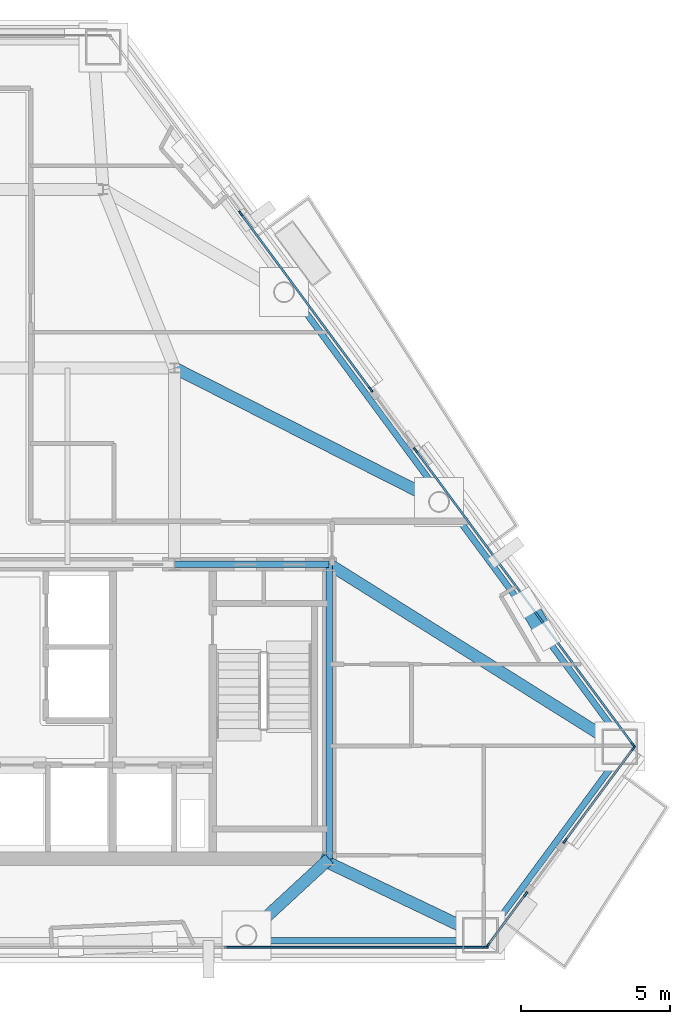
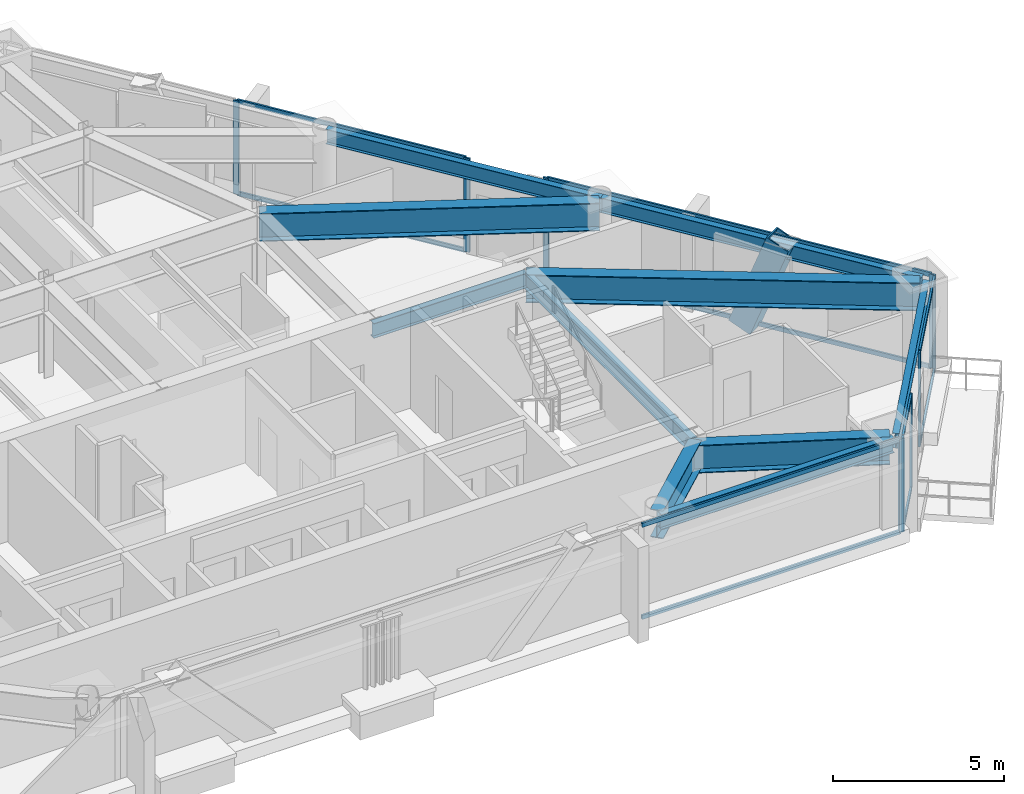
# One storey, part 5 of 11: 20 members, 10 beams, 5 elements without a shape of their own.
"""IFC4 building model written with IfcOpenShell, lengths in metres."""

from ifc_helpers import new_model, si_unit, direction, frame, origin, origin_2d, place, context, subcontext, project, spatial, rectangle, hollow_rectangle, i_section, extrude, material, layer, layer_set, material_profile, profile_set, type_object, element, aggregate, save


model = new_model("IFC4")

# Units and contexts
model_context = context("Model", 3, precision=1e-05, world=origin(), true_north=direction((0.0, 1.0)))
body_context = subcontext(model_context, "Body", "Model", "MODEL_VIEW")
ifc_project = project(units=[si_unit("LENGTHUNIT", "METRE"), si_unit("AREAUNIT", "SQUARE_METRE"), si_unit("VOLUMEUNIT", "CUBIC_METRE"), si_unit("PLANEANGLEUNIT", "RADIAN"), si_unit("MASSUNIT", "GRAM", prefix="KILO")], contexts=[model_context])

# Site, building, storey
site_placement = place(None, origin())
site = spatial("IfcSite", under=ifc_project, at=site_placement, CompositionType="ELEMENT")
building_placement = place(site_placement, origin())
building = spatial("IfcBuilding", under=site, at=building_placement, Name="Talgorran Terracotta Tower", CompositionType="ELEMENT")
storey_placement = place(building_placement, frame((0.0, 0.0, 154.5)))
storey = spatial("IfcBuildingStorey", under=building, at=storey_placement, Name="L40", CompositionType="ELEMENT", Elevation=154.5)

# Beams
ifc_material_1 = material(Name="Steel Grade 350 (350L0)", Category="steel")
ifc_material_profile_1 = material_profile(ifc_material_1, i_section(OverallWidth=0.39990234375, OverallDepth=1.0, WebThickness=0.01611328125, FlangeThickness=0.031005859375, at=origin_2d()), Name="1000WB296")
ifc_profile_set_1 = profile_set([ifc_material_profile_1], Name="Steel Grade 350 (350L0)")
beam_type_1 = type_object("IfcBeamType", Name="BM_1000WB296", PredefinedType="BEAM", material=ifc_profile_set_1)
beam_1_placement = place(storey_placement, frame((12.39990234375, -14.10009765625, 2.85009765625), z_axis=(-0.734220592544, -0.678910982003, 0.0), x_axis=(0.678910982003, -0.734220592544, 0.0)))
element("IfcBeam", 1, at=beam_1_placement, inside=storey, type_object=beam_type_1, Name="L40 South-East Core Tie Beam", PredefinedType="BEAM", context=body_context, shape_type="SweptSolid", body=[
    extrude(i_section(OverallWidth=0.39990234375, OverallDepth=1.0, WebThickness=0.01611328125, FlangeThickness=0.031005859375, at=origin_2d()), origin(), (0.0, 0.0, 1.0), 3.791748046875),
])
beam_2_placement = place(storey_placement, frame((17.483642578125, -16.67431640625, 2.85009765625), z_axis=(-0.902168144999, 0.43138455947, 0.0), x_axis=(-0.43138455947, -0.902168144999, 0.0)))
element("IfcBeam", 2, at=beam_2_placement, inside=storey, type_object=beam_type_1, Name="L40 Perimeter Step Girder 5", PredefinedType="BEAM", context=body_context, shape_type="SweptSolid", body=[
    extrude(i_section(OverallWidth=0.39990234375, OverallDepth=1.0, WebThickness=0.01611328125, FlangeThickness=0.031005859375, at=origin_2d()), origin(), (0.0, 0.0, 1.0), 5.96728515625),
])
beam_3_placement = place(storey_placement, frame((7.199951171875, 2.39990234375, 2.85009765625), z_axis=(0.892122666424, -0.451793258087, 0.0), x_axis=(0.451793258087, 0.892122666424, 0.0)))
element("IfcBeam", 3, at=beam_3_placement, inside=storey, type_object=beam_type_1, Name="L40 Floor Girder G07", PredefinedType="BEAM", context=body_context, shape_type="SweptSolid", body=[
    extrude(i_section(OverallWidth=0.39990234375, OverallDepth=1.0, WebThickness=0.01611328125, FlangeThickness=0.031005859375, at=origin_2d()), origin(), (0.0, 0.0, 1.0), 9.966796875),
])
beam_4_placement = place(storey_placement, frame((12.39990234375, -4.199951171875, 2.85009765625), z_axis=(0.846977550412, -0.531628657145, 0.0), x_axis=(0.531628657145, 0.846977550412, 0.0)))
element("IfcBeam", 4, at=beam_4_placement, inside=storey, type_object=beam_type_1, Name="L40 Floor Girder G18", PredefinedType="BEAM", context=body_context, shape_type="SweptSolid", body=[
    extrude(i_section(OverallWidth=0.39990234375, OverallDepth=1.0, WebThickness=0.01611328125, FlangeThickness=0.031005859375, at=origin_2d()), origin(), (0.0, 0.0, 1.0), 11.533203125),
])
ifc_material_2 = material(Name="Steel S355 (300PLUS)", Category="steel")
ifc_material_profile_2 = material_profile(ifc_material_2, i_section(OverallWidth=0.209228515625, OverallDepth=0.532958984375, WebThickness=0.01025390625, FlangeThickness=0.015625, at=origin_2d()), Name="530UB92.4")
ifc_profile_set_2 = profile_set([ifc_material_profile_2], Name="Steel S355 (300PLUS)")
beam_type_2 = type_object("IfcBeamType", Name="BM_SP_530UB92", PredefinedType="SPANDREL", material=ifc_profile_set_2)
beam_5_placement = place(storey_placement, frame((9.615966796875, -16.8544921875, 3.08349609375), z_axis=(1.0, 0.0, 0.0), x_axis=(0.0, 1.0, 0.0)))
element("IfcBeam", 5, at=beam_5_placement, inside=storey, type_object=beam_type_2, Name="L40 Perimeter Spandrel Beam FC2-MC3", PredefinedType="SPANDREL", context=body_context, shape_type="SweptSolid", body=[
    extrude(i_section(OverallWidth=0.209228515625, OverallDepth=0.532958984375, WebThickness=0.01025390625, FlangeThickness=0.015625, at=origin_2d()), origin(), (0.0, 0.0, 1.0), 7.86767578125),
])
beam_6_placement = place(storey_placement, frame((17.62841796875, -16.78125, 3.08349609375), z_axis=(0.594068918856, 0.804414146848, 0.0), x_axis=(-0.804414146848, 0.594068918856, 0.0)))
element("IfcBeam", 6, at=beam_6_placement, inside=storey, type_object=beam_type_2, Name="L40 Perimeter Spandrel Beam MC3-MC4", PredefinedType="SPANDREL", context=body_context, shape_type="SweptSolid", body=[
    extrude(i_section(OverallWidth=0.209228515625, OverallDepth=0.532958984375, WebThickness=0.01025390625, FlangeThickness=0.015625, at=origin_2d()), origin(), (0.0, 0.0, 1.0), 7.885498046875),
])
beam_7_placement = place(storey_placement, frame((22.31298828125, -10.224365234375, 3.08349609375), z_axis=(-0.594068215055, 0.804414666613, 0.0), x_axis=(-0.804414666613, -0.594068215055, 0.0)))
element("IfcBeam", 7, at=beam_7_placement, inside=storey, type_object=beam_type_2, Name="L40 Perimeter Spandrel Beam MC4-FC3", PredefinedType="SPANDREL", context=body_context, shape_type="SweptSolid", body=[
    extrude(i_section(OverallWidth=0.209228515625, OverallDepth=0.532958984375, WebThickness=0.01025390625, FlangeThickness=0.015625, at=origin_2d()), origin(), (0.0, 0.0, 1.0), 10.22900390625),
])
beam_8_placement = place(storey_placement, frame((16.236328125, -1.99609375, 3.08349609375), z_axis=(-0.594084887131, 0.804402353852, 0.0), x_axis=(-0.804402353852, -0.594084887131, 0.0)))
element("IfcBeam", 8, at=beam_8_placement, inside=storey, type_object=beam_type_2, Name="L40 Perimeter Spandrel Beam FC3-FC4", PredefinedType="SPANDREL", context=body_context, shape_type="SweptSolid", body=[
    extrude(i_section(OverallWidth=0.209228515625, OverallDepth=0.532958984375, WebThickness=0.01025390625, FlangeThickness=0.015625, at=origin_2d()), origin(), (0.0, 0.0, 1.0), 8.767578125),
])
beam_9_placement = place(storey_placement, frame((12.39990234375, -14.10009765625, 3.08349609375), z_axis=(0.0, 1.0, 0.0), x_axis=(-1.0, 0.0, 0.0)))
element("IfcBeam", 9, at=beam_9_placement, inside=storey, type_object=beam_type_2, Name="L40 Core Frame Beam CFE", PredefinedType="SPANDREL", context=body_context, shape_type="SweptSolid", body=[
    extrude(i_section(OverallWidth=0.209228515625, OverallDepth=0.532958984375, WebThickness=0.01025390625, FlangeThickness=0.015625, at=origin_2d()), origin(), (0.0, 0.0, 1.0), 9.900146484375),
])
beam_10_placement = place(storey_placement, frame((7.199951171875, -4.199951171875, 3.08349609375), z_axis=(1.0, 0.0, 0.0), x_axis=(0.0, 1.0, 0.0)))
element("IfcBeam", 10, at=beam_10_placement, inside=storey, type_object=beam_type_2, Name="L40 Core Frame Beam CFN4", PredefinedType="SPANDREL", context=body_context, shape_type="SweptSolid", body=[
    extrude(i_section(OverallWidth=0.209228515625, OverallDepth=0.532958984375, WebThickness=0.01025390625, FlangeThickness=0.015625, at=origin_2d()), origin(), (0.0, 0.0, 1.0), 5.199951171875),
])

# Member
ifc_material_profile_3 = material_profile(ifc_material_1, hollow_rectangle(XDim=0.6201171875, YDim=0.780029296875, WallThickness=0.0419921875, at=origin_2d()), Name="WBOX780X620X42")
ifc_profile_set_3 = profile_set([ifc_material_profile_3], Name="Steel Grade 350 (350L0)")
member_type_1 = type_object("IfcMemberType", Name="MB_MEGA_780", PredefinedType="BRACE", material=ifc_profile_set_3)
member_1_placement = place(storey_placement, frame((19.037353515625, -5.48583984375, -0.02490234375), z_axis=(0.178524547702, -0.305399216855, 0.935339673174), x_axis=(0.863317156453, 0.504661755411, 0.0)))
element("IfcMember", 11, at=member_1_placement, inside=storey, type_object=member_type_1, Name="L40 Exterior Face Mega-Brace MB-2 (NEL)", PredefinedType="BRACE", context=body_context, shape_type="SweptSolid", body=[
    extrude(hollow_rectangle(XDim=0.6201171875, YDim=0.780029296875, WallThickness=0.0419921875, at=origin_2d()), origin(), (0.0, 0.0, 1.0), 3.635009765625),
])

# Curtain wall, member
ifc_material_3 = material(Name="Unitised Low-E Double Glazing", Category="glass")
ifc_layer = layer(ifc_material_3, 0.199951171875, Name="CW_SYS2_RES_LOW")
ifc_layer_set = layer_set([ifc_layer], Name="Unitised Low-E Double Glazing")
curtain_wall_type = type_object("IfcCurtainWallType", Name="CW_SYS2_RES_LOW", PredefinedType="NOTDEFINED", material=ifc_layer_set)
curtain_wall_1_placement = place(storey_placement, origin())
curtain_wall_1 = element("IfcCurtainWall", 12, at=curtain_wall_1_placement, inside=storey, type_object=curtain_wall_type, Name="CW-L40-F1", PredefinedType="NOTDEFINED")
ifc_material_4 = material(Name="Architectural Aluminium 6063-T6", Category="aluminium")
ifc_material_profile_4 = material_profile(ifc_material_4, rectangle(XDim=0.06494140625, YDim=0.18505859375, at=origin_2d()), Name="CWM65X185")
ifc_profile_set_4 = profile_set([ifc_material_profile_4], Name="Architectural Aluminium 6063-T6")
member_type_2 = type_object("IfcMemberType", Name="MUL_65X185", PredefinedType="MULLION", material=ifc_profile_set_4)
member_2_placement = place(storey_placement, frame((17.65283203125, -17.074462890625, 0.0), z_axis=(0.0, 0.0, 1.0), x_axis=(0.0, 1.0, 0.0)))
member_2 = element("IfcMember", 13, at=member_2_placement, type_object=member_type_2, Name="CW-L40-1 mullion 5", PredefinedType="MULLION", context=body_context, shape_type="SweptSolid", body=[
    extrude(rectangle(XDim=0.06494140625, YDim=0.18505859375, at=origin_2d()), origin(), (0.0, 0.0, 1.0), 3.35009765625),
])

# Curtain wall, members
curtain_wall_2_placement = place(storey_placement, origin())
curtain_wall_2 = element("IfcCurtainWall", 14, at=curtain_wall_2_placement, inside=storey, type_object=curtain_wall_type, Name="CW-L40-F30", PredefinedType="NOTDEFINED")
member_3_placement = place(storey_placement, frame((17.728515625, -17.01611328125, 0.0), z_axis=(0.0, 0.0, 1.0), x_axis=(-0.804413973755, 0.594069153237, 0.0)))
member_3 = element("IfcMember", 15, at=member_3_placement, type_object=member_type_2, Name="CW-L40-30 mullion 1", PredefinedType="MULLION", context=body_context, shape_type="SweptSolid", body=[
    extrude(rectangle(XDim=0.06494140625, YDim=0.18505859375, at=origin_2d()), origin(), (0.0, 0.0, 1.0), 3.35009765625),
])
member_4_placement = place(storey_placement, frame((19.0029296875, -15.29052734375, 0.0), z_axis=(0.0, 0.0, 1.0), x_axis=(-0.804413973755, 0.594069153237, 0.0)))
member_4 = element("IfcMember", 16, at=member_4_placement, type_object=member_type_2, Name="CW-L40-30 mullion 2", PredefinedType="MULLION", context=body_context, shape_type="SweptSolid", body=[
    extrude(rectangle(XDim=0.06494140625, YDim=0.18505859375, at=origin_2d()), origin(), (0.0, 0.0, 1.0), 3.35009765625),
])

curtain_wall_3_placement = place(storey_placement, origin())
curtain_wall_3 = element("IfcCurtainWall", 17, at=curtain_wall_3_placement, inside=storey, type_object=curtain_wall_type, Name="CW-L40-F31", PredefinedType="NOTDEFINED")
member_5_placement = place(storey_placement, frame((20.32470703125, -13.500732421875, 0.0), z_axis=(0.0, 0.0, 1.0), x_axis=(-0.804402793859, 0.594084291352, 0.0)))
member_5 = element("IfcMember", 18, at=member_5_placement, type_object=member_type_2, Name="CW-L40-31 mullion 1", PredefinedType="MULLION", context=body_context, shape_type="SweptSolid", body=[
    extrude(rectangle(XDim=0.06494140625, YDim=0.18505859375, at=origin_2d()), origin(), (0.0, 0.0, 1.0), 3.35009765625),
])
member_6_placement = place(storey_placement, frame((22.622314453125, -10.3896484375, 0.0), z_axis=(0.0, 0.0, 1.0), x_axis=(-0.804402793859, 0.594084291352, 0.0)))
member_6 = element("IfcMember", 19, at=member_6_placement, type_object=member_type_2, Name="CW-L40-31 mullion 2", PredefinedType="MULLION", context=body_context, shape_type="SweptSolid", body=[
    extrude(rectangle(XDim=0.06494140625, YDim=0.18505859375, at=origin_2d()), origin(), (0.0, 0.0, 1.0), 3.35009765625),
])

curtain_wall_4_placement = place(storey_placement, origin())
curtain_wall_4 = element("IfcCurtainWall", 20, at=curtain_wall_4_placement, inside=storey, type_object=curtain_wall_type, Name="CW-L40-F40", PredefinedType="NOTDEFINED")
member_7_placement = place(storey_placement, frame((22.622314453125, -10.27294921875, 0.0), z_axis=(0.0, 0.0, 1.0), x_axis=(-0.804408049113, -0.59407717556, 0.0)))
member_7 = element("IfcMember", 21, at=member_7_placement, type_object=member_type_2, Name="CW-L40-40 mullion 1", PredefinedType="MULLION", context=body_context, shape_type="SweptSolid", body=[
    extrude(rectangle(XDim=0.06494140625, YDim=0.18505859375, at=origin_2d()), origin(), (0.0, 0.0, 1.0), 3.35009765625),
])
member_8_placement = place(storey_placement, frame((15.300048828125, -0.358154296875, 0.0), z_axis=(0.0, 0.0, 1.0), x_axis=(-0.804408049113, -0.59407717556, 0.0)))
member_8 = element("IfcMember", 22, at=member_8_placement, type_object=member_type_2, Name="CW-L40-40 mullion 2", PredefinedType="MULLION", context=body_context, shape_type="SweptSolid", body=[
    extrude(rectangle(XDim=0.06494140625, YDim=0.18505859375, at=origin_2d()), origin(), (0.0, 0.0, 1.0), 3.35009765625),
])

curtain_wall_5_placement = place(storey_placement, origin())
curtain_wall_5 = element("IfcCurtainWall", 23, at=curtain_wall_5_placement, inside=storey, type_object=curtain_wall_type, Name="CW-L40-F41", PredefinedType="NOTDEFINED")
member_9_placement = place(storey_placement, frame((13.800048828125, 1.6728515625, 0.0), z_axis=(0.0, 0.0, 1.0), x_axis=(-0.804410006266, -0.594074525476, 0.0)))
member_9 = element("IfcMember", 24, at=member_9_placement, type_object=member_type_2, Name="CW-L40-41 mullion 1", PredefinedType="MULLION", context=body_context, shape_type="SweptSolid", body=[
    extrude(rectangle(XDim=0.06494140625, YDim=0.18505859375, at=origin_2d()), origin(), (0.0, 0.0, 1.0), 3.35009765625),
])
member_10_placement = place(storey_placement, frame((9.425537109375, 7.59619140625, 0.0), z_axis=(0.0, 0.0, 1.0), x_axis=(-0.804410006266, -0.594074525476, 0.0)))
member_10 = element("IfcMember", 25, at=member_10_placement, type_object=member_type_2, Name="CW-L40-41 mullion 2", PredefinedType="MULLION", context=body_context, shape_type="SweptSolid", body=[
    extrude(rectangle(XDim=0.06494140625, YDim=0.18505859375, at=origin_2d()), origin(), (0.0, 0.0, 1.0), 3.35009765625),
])

# Member
ifc_material_profile_5 = material_profile(ifc_material_4, rectangle(XDim=0.06494140625, YDim=0.14990234375, at=origin_2d()), Name="CWT65X150")
ifc_profile_set_5 = profile_set([ifc_material_profile_5], Name="Architectural Aluminium 6063-T6")
member_type_3 = type_object("IfcMemberType", Name="TRN_65X150", PredefinedType="USERDEFINED", material=ifc_profile_set_5)
member_11_placement = place(storey_placement, frame((8.875244140625, -17.074462890625, 0.032470703125), z_axis=(1.0, 0.0, 0.0), x_axis=(0.0, 1.0, 0.0)))
member_11 = element("IfcMember", 26, at=member_11_placement, type_object=member_type_3, Name="CW-L40-1 transom 4.1", ObjectType="TRANSOM", PredefinedType="USERDEFINED", context=body_context, shape_type="SweptSolid", body=[
    extrude(rectangle(XDim=0.06494140625, YDim=0.14990234375, at=origin_2d()), origin(), (0.0, 0.0, 1.0), 8.7451171875),
])

member_12_placement = place(storey_placement, frame((8.875244140625, -17.074462890625, 3.3173828125), z_axis=(1.0, 0.0, 0.0), x_axis=(0.0, 1.0, 0.0)))
member_12 = element("IfcMember", 27, at=member_12_placement, type_object=member_type_3, Name="CW-L40-1 transom 4.2", ObjectType="TRANSOM", PredefinedType="USERDEFINED", context=body_context, shape_type="SweptSolid", body=[
    extrude(rectangle(XDim=0.06494140625, YDim=0.14990234375, at=origin_2d()), origin(), (0.0, 0.0, 1.0), 8.7451171875),
])

aggregate(curtain_wall_1, [member_2, member_11, member_12])

member_13_placement = place(storey_placement, frame((17.747802734375, -16.989990234375, 0.032470703125), z_axis=(0.594087426548, 0.80440047838, 0.0), x_axis=(-0.80440047838, 0.594087426548, 0.0)))
member_13 = element("IfcMember", 28, at=member_13_placement, type_object=member_type_3, Name="CW-L40-30 transom 1.1", ObjectType="TRANSOM", PredefinedType="USERDEFINED", context=body_context, shape_type="SweptSolid", body=[
    extrude(rectangle(XDim=0.06494140625, YDim=0.14990234375, at=origin_2d()), origin(), (0.0, 0.0, 1.0), 2.080322265625),
])

member_14_placement = place(storey_placement, frame((17.747802734375, -16.989990234375, 3.3173828125), z_axis=(0.594087426548, 0.80440047838, 0.0), x_axis=(-0.80440047838, 0.594087426548, 0.0)))
member_14 = element("IfcMember", 29, at=member_14_placement, type_object=member_type_3, Name="CW-L40-30 transom 1.2", ObjectType="TRANSOM", PredefinedType="USERDEFINED", context=body_context, shape_type="SweptSolid", body=[
    extrude(rectangle(XDim=0.06494140625, YDim=0.14990234375, at=origin_2d()), origin(), (0.0, 0.0, 1.0), 2.080322265625),
])

aggregate(curtain_wall_2, [member_3, member_4, member_13, member_14])

member_15_placement = place(storey_placement, frame((20.343994140625, -13.474609375, 0.032470703125), z_axis=(0.594076904205, 0.804408249517, 0.0), x_axis=(-0.804408249517, 0.594076904205, 0.0)))
member_15 = element("IfcMember", 30, at=member_15_placement, type_object=member_type_3, Name="CW-L40-31 transom 1.1", ObjectType="TRANSOM", PredefinedType="USERDEFINED", context=body_context, shape_type="SweptSolid", body=[
    extrude(rectangle(XDim=0.06494140625, YDim=0.14990234375, at=origin_2d()), origin(), (0.0, 0.0, 1.0), 3.802490234375),
])

member_16_placement = place(storey_placement, frame((20.343994140625, -13.474609375, 3.3173828125), z_axis=(0.594076904205, 0.804408249517, 0.0), x_axis=(-0.804408249517, 0.594076904205, 0.0)))
member_16 = element("IfcMember", 31, at=member_16_placement, type_object=member_type_3, Name="CW-L40-31 transom 1.2", ObjectType="TRANSOM", PredefinedType="USERDEFINED", context=body_context, shape_type="SweptSolid", body=[
    extrude(rectangle(XDim=0.06494140625, YDim=0.14990234375, at=origin_2d()), origin(), (0.0, 0.0, 1.0), 3.802490234375),
])

aggregate(curtain_wall_3, [member_5, member_6, member_15, member_16])

member_17_placement = place(storey_placement, frame((22.60302734375, -10.246826171875, 0.032470703125), z_axis=(-0.594073556732, 0.804410721704, 0.0), x_axis=(-0.804410721704, -0.594073556732, 0.0)))
member_17 = element("IfcMember", 32, at=member_17_placement, type_object=member_type_3, Name="CW-L40-40 transom 1.1", ObjectType="TRANSOM", PredefinedType="USERDEFINED", context=body_context, shape_type="SweptSolid", body=[
    extrude(rectangle(XDim=0.06494140625, YDim=0.14990234375, at=origin_2d()), origin(), (0.0, 0.0, 1.0), 12.260498046875),
])

member_18_placement = place(storey_placement, frame((22.60302734375, -10.246826171875, 3.3173828125), z_axis=(-0.594073556732, 0.804410721704, 0.0), x_axis=(-0.804410721704, -0.594073556732, 0.0)))
member_18 = element("IfcMember", 33, at=member_18_placement, type_object=member_type_3, Name="CW-L40-40 transom 1.2", ObjectType="TRANSOM", PredefinedType="USERDEFINED", context=body_context, shape_type="SweptSolid", body=[
    extrude(rectangle(XDim=0.06494140625, YDim=0.14990234375, at=origin_2d()), origin(), (0.0, 0.0, 1.0), 12.260498046875),
])

aggregate(curtain_wall_4, [member_7, member_8, member_17, member_18])

member_19_placement = place(storey_placement, frame((13.78076171875, 1.698974609375, 0.032470703125), z_axis=(-0.594074996969, 0.804409658058, 0.0), x_axis=(-0.804409658058, -0.594074996969, 0.0)))
member_19 = element("IfcMember", 34, at=member_19_placement, type_object=member_type_3, Name="CW-L40-41 transom 1.1", ObjectType="TRANSOM", PredefinedType="USERDEFINED", context=body_context, shape_type="SweptSolid", body=[
    extrude(rectangle(XDim=0.06494140625, YDim=0.14990234375, at=origin_2d()), origin(), (0.0, 0.0, 1.0), 7.298583984375),
])

member_20_placement = place(storey_placement, frame((13.78076171875, 1.698974609375, 3.3173828125), z_axis=(-0.594074996969, 0.804409658058, 0.0), x_axis=(-0.804409658058, -0.594074996969, 0.0)))
member_20 = element("IfcMember", 35, at=member_20_placement, type_object=member_type_3, Name="CW-L40-41 transom 1.2", ObjectType="TRANSOM", PredefinedType="USERDEFINED", context=body_context, shape_type="SweptSolid", body=[
    extrude(rectangle(XDim=0.06494140625, YDim=0.14990234375, at=origin_2d()), origin(), (0.0, 0.0, 1.0), 7.298583984375),
])

aggregate(curtain_wall_5, [member_9, member_10, member_19, member_20])

save(model, "model.ifc")
